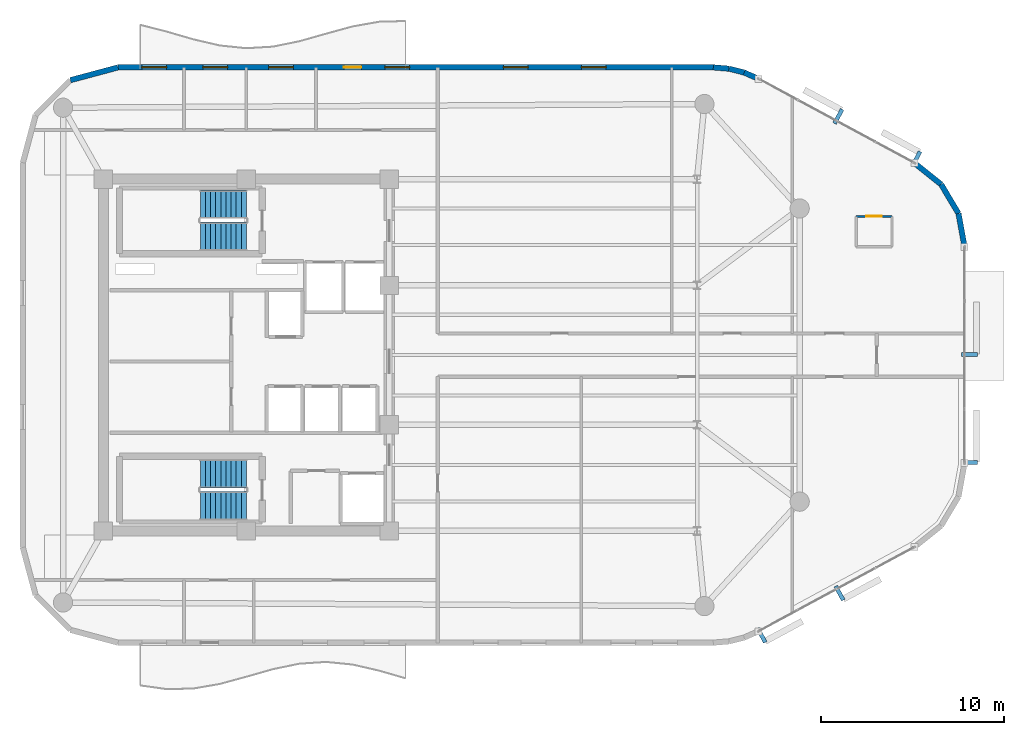
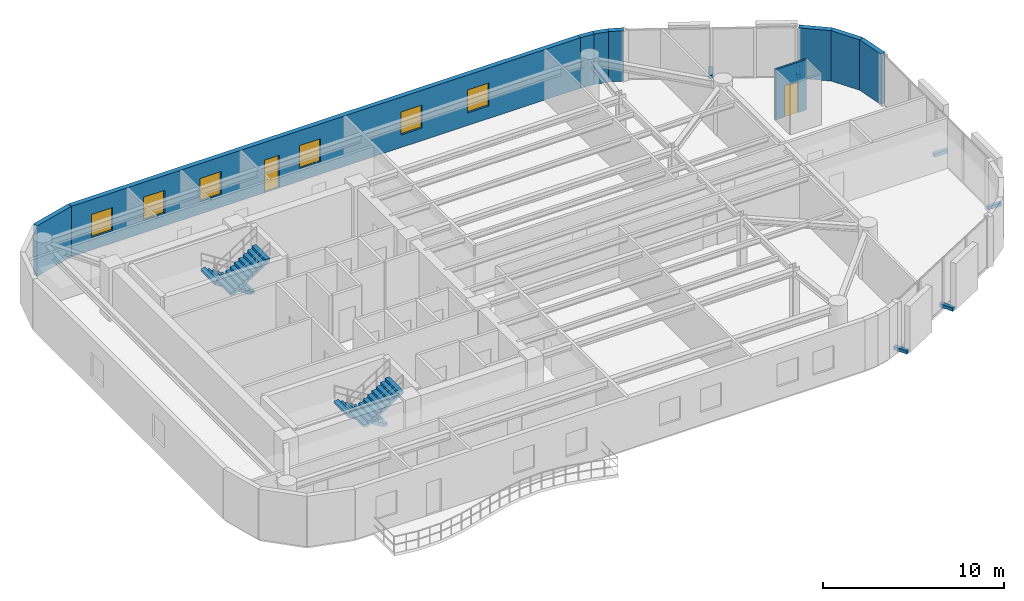
# One storey, part 11 of 13: 9 walls, 6 discrete accessories, 6 windows, 4 stair flights, 2 doors, 8 openings, 2 elements without a shape of their own.
"""IFC4 building model written with IfcOpenShell, lengths in metres."""

from ifc_helpers import new_model, si_unit, direction, frame, frame_2d, origin, origin_2d, place, context, subcontext, project, spatial, polyline, rectangle, outline, extrude, material, layer, layer_set, type_object, element, fill, aggregate, save


model = new_model("IFC4")

# Units and contexts
model_context = context("Model", 3, precision=1e-05, world=origin(), true_north=direction((0.0, 1.0)))
body_context = subcontext(model_context, "Body", "Model", "MODEL_VIEW")
ifc_project = project(units=[si_unit("LENGTHUNIT", "METRE"), si_unit("AREAUNIT", "SQUARE_METRE"), si_unit("VOLUMEUNIT", "CUBIC_METRE"), si_unit("PLANEANGLEUNIT", "RADIAN"), si_unit("MASSUNIT", "GRAM", prefix="KILO")], contexts=[model_context])

# Site, building, storey
site_placement = place(None, origin())
site = spatial("IfcSite", under=ifc_project, at=site_placement, CompositionType="ELEMENT")
building_placement = place(site_placement, origin())
building = spatial("IfcBuilding", under=site, at=building_placement, Name="An Khanh Terracotta Commons", CompositionType="ELEMENT")
storey_placement = place(building_placement, frame((0.0, 0.0, 212.10009765625)))
storey = spatial("IfcBuildingStorey", under=building, at=storey_placement, Name="L55", CompositionType="ELEMENT", Elevation=212.10009765625)

# Walls
ifc_material_1 = material(Name="Precast concrete C40/50", Category="concrete")
ifc_layer_1 = layer(ifc_material_1, 0.300048828125, Name="Precast concrete C40/50")
ifc_layer_set_1 = layer_set([ifc_layer_1], Name="Precast concrete C40/50")
wall_type_1 = type_object("IfcWallType", Name="WALL-EXT-300", PredefinedType="SOLIDWALL", material=ifc_layer_set_1)
wall_1_placement = place(storey_placement, frame((68.60009765625, 29.89892578125, 0.0), z_axis=(0.0, 0.0, 1.0), x_axis=(-0.178468469252, 0.983945631365, 0.0)))
element("IfcWall", 1, at=wall_1_placement, inside=storey, type_object=wall_type_1, Name="L55 Insulated Terracotta Exterior Wall 13", PredefinedType="SOLIDWALL", context=body_context, shape_type="SweptSolid", body=[
    extrude(rectangle(XDim=1.85498046875, YDim=0.300048828125, at=frame_2d((0.927490234375, 0.0))), origin(), (0.0, 0.0, 1.0), 3.39990234375),
])
wall_2_placement = place(storey_placement, frame((68.26904296875, 31.72412109375, 0.0), z_axis=(0.0, 0.0, 1.0), x_axis=(-0.512072018927, 0.858942516955, 0.0)))
element("IfcWall", 2, at=wall_2_placement, inside=storey, type_object=wall_type_1, Name="L55 Insulated Terracotta Exterior Wall 14", PredefinedType="SOLIDWALL", context=body_context, shape_type="SweptSolid", body=[
    extrude(rectangle(XDim=1.853271484375, YDim=0.300048828125, at=frame_2d((0.9267578125, 0.0))), origin(), (0.0, 0.0, 1.0), 3.39990234375),
])
wall_3_placement = place(storey_placement, frame((67.320068359375, 33.31591796875, 0.0), z_axis=(0.0, 0.0, 1.0), x_axis=(-0.780920189257, 0.624630817372, 0.0)))
element("IfcWall", 3, at=wall_3_placement, inside=storey, type_object=wall_type_1, Name="L55 Insulated Terracotta Exterior Wall 15", PredefinedType="SOLIDWALL", context=body_context, shape_type="SweptSolid", body=[
    extrude(rectangle(XDim=1.854248046875, YDim=0.300048828125, at=frame_2d((0.92724609375, 0.0))), origin(), (0.0, 0.0, 1.0), 3.39990234375),
])
wall_4_placement = place(storey_placement, frame((57.35693359375, 39.074951171875, 0.0), z_axis=(0.0, 0.0, 1.0), x_axis=(-0.916085473636, 0.400983048261, 0.0)))
element("IfcWall", 4, at=wall_4_placement, inside=storey, type_object=wall_type_1, Name="L55 Insulated Terracotta Exterior Wall 17", PredefinedType="SOLIDWALL", context=body_context, shape_type="SweptSolid", body=[
    extrude(rectangle(XDim=0.85791015625, YDim=0.300048828125, at=frame_2d((0.428955078125, 0.0))), origin(), (0.0, 0.0, 1.0), 3.39990234375),
])
wall_5_placement = place(storey_placement, frame((56.571044921875, 39.4189453125, 0.0), z_axis=(0.0, 0.0, 1.0), x_axis=(-0.969536346338, 0.244947490555, 0.0)))
element("IfcWall", 5, at=wall_5_placement, inside=storey, type_object=wall_type_1, Name="L55 Insulated Terracotta Exterior Wall 18", PredefinedType="SOLIDWALL", context=body_context, shape_type="SweptSolid", body=[
    extrude(rectangle(XDim=0.857177734375, YDim=0.300048828125, at=frame_2d((0.4287109375, 0.0))), origin(), (0.0, 0.0, 1.0), 3.39990234375),
])
wall_6_placement = place(storey_placement, frame((55.739990234375, 39.62890625, 0.0), z_axis=(0.0, 0.0, 1.0), x_axis=(-0.996565355958, 0.082809971041, 0.0)))
element("IfcWall", 6, at=wall_6_placement, inside=storey, type_object=wall_type_1, Name="L55 Insulated Terracotta Exterior Wall 19", PredefinedType="SOLIDWALL", context=body_context, shape_type="SweptSolid", body=[
    extrude(rectangle(XDim=0.85791015625, YDim=0.300048828125, at=frame_2d((0.428955078125, 0.0))), origin(), (0.0, 0.0, 1.0), 3.39990234375),
])

# Wall, openings, door, windows
wall_7_placement = place(storey_placement, frame((54.885009765625, 39.699951171875, 0.0), z_axis=(0.0, 0.0, 1.0), x_axis=(-1.0, 0.0, 0.0)))
wall_7 = element("IfcWall", 7, at=wall_7_placement, inside=storey, type_object=wall_type_1, Name="L55 Insulated Terracotta Exterior Wall 20", PredefinedType="SOLIDWALL", context=body_context, shape_type="SweptSolid", body=[
    extrude(rectangle(XDim=32.485107421875, YDim=0.300048828125, at=frame_2d((16.24267578125, 0.0))), origin(), (0.0, 0.0, 1.0), 3.39990234375),
])
opening_1_placement = place(wall_7_placement, frame((19.2099609375, 0.0, 0.0)))
opening_1 = element("IfcOpeningElement", 8, at=opening_1_placement, cuts=wall_7, Name="Opening D-BAL", PredefinedType="OPENING", context=body_context, shape_type="SweptSolid", body=[
    extrude(rectangle(XDim=0.949951171875, YDim=2.199951171875, at=frame_2d((0.47509765625, 1.10009765625))), frame((0.0, 0.159912109375, 0.0), z_axis=(0.0, -1.0, 0.0), x_axis=(1.0, 0.0, 0.0)), (0.0, 0.0, 1.0), 0.320068359375),
])
opening_2_placement = place(wall_7_placement, frame((5.845947265625, 0.0, 0.85009765625)))
opening_2 = element("IfcOpeningElement", 9, at=opening_2_placement, cuts=wall_7, Name="Opening W-04", PredefinedType="OPENING", context=body_context, shape_type="SweptSolid", body=[
    extrude(rectangle(XDim=1.35009765625, YDim=1.550048828125, at=frame_2d((0.675048828125, 0.77490234375))), frame((0.0, 0.159912109375, 0.0), z_axis=(0.0, -1.0, 0.0), x_axis=(1.0, 0.0, 0.0)), (0.0, 0.0, 1.0), 0.320068359375),
])
opening_3_placement = place(wall_7_placement, frame((10.10302734375, 0.0, 0.85009765625)))
opening_3 = element("IfcOpeningElement", 10, at=opening_3_placement, cuts=wall_7, Name="Opening W-04", PredefinedType="OPENING", context=body_context, shape_type="SweptSolid", body=[
    extrude(rectangle(XDim=1.35009765625, YDim=1.550048828125, at=frame_2d((0.675048828125, 0.77490234375))), frame((0.0, 0.159912109375, 0.0), z_axis=(0.0, -1.0, 0.0), x_axis=(1.0, 0.0, 0.0)), (0.0, 0.0, 1.0), 0.320068359375),
])
opening_4_placement = place(wall_7_placement, frame((16.576904296875, 0.0, 0.85009765625)))
opening_4 = element("IfcOpeningElement", 11, at=opening_4_placement, cuts=wall_7, Name="Opening W-04", PredefinedType="OPENING", context=body_context, shape_type="SweptSolid", body=[
    extrude(rectangle(XDim=1.35009765625, YDim=1.550048828125, at=frame_2d((0.675048828125, 0.77490234375))), frame((0.0, 0.159912109375, 0.0), z_axis=(0.0, -1.0, 0.0), x_axis=(1.0, 0.0, 0.0)), (0.0, 0.0, 1.0), 0.320068359375),
])
opening_5_placement = place(wall_7_placement, frame((22.909912109375, 0.0, 0.85009765625)))
opening_5 = element("IfcOpeningElement", 12, at=opening_5_placement, cuts=wall_7, Name="Opening W-04", PredefinedType="OPENING", context=body_context, shape_type="SweptSolid", body=[
    extrude(rectangle(XDim=1.35009765625, YDim=1.550048828125, at=frame_2d((0.675048828125, 0.77490234375))), frame((0.0, 0.159912109375, 0.0), z_axis=(0.0, -1.0, 0.0), x_axis=(1.0, 0.0, 0.0)), (0.0, 0.0, 1.0), 0.320068359375),
])
opening_6_placement = place(wall_7_placement, frame((26.510009765625, 0.0, 0.85009765625)))
opening_6 = element("IfcOpeningElement", 13, at=opening_6_placement, cuts=wall_7, Name="Opening W-04", PredefinedType="OPENING", context=body_context, shape_type="SweptSolid", body=[
    extrude(rectangle(XDim=1.35009765625, YDim=1.550048828125, at=frame_2d((0.675048828125, 0.77490234375))), frame((0.0, 0.159912109375, 0.0), z_axis=(0.0, -1.0, 0.0), x_axis=(1.0, 0.0, 0.0)), (0.0, 0.0, 1.0), 0.320068359375),
])
opening_7_placement = place(wall_7_placement, frame((29.8349609375, 0.0, 0.85009765625)))
opening_7 = element("IfcOpeningElement", 14, at=opening_7_placement, cuts=wall_7, Name="Opening W-04", PredefinedType="OPENING", context=body_context, shape_type="SweptSolid", body=[
    extrude(rectangle(XDim=1.35009765625, YDim=1.550048828125, at=frame_2d((0.675048828125, 0.77490234375))), frame((0.0, 0.159912109375, 0.0), z_axis=(0.0, -1.0, 0.0), x_axis=(1.0, 0.0, 0.0)), (0.0, 0.0, 1.0), 0.320068359375),
])
ifc_material_2 = material(Name="Thermally Broken Aluminium and Low-E Glass", Category="aluminium")
door_type_1 = type_object("IfcDoorType", Name="DOOR-BALC-950", OperationType="NOTDEFINED", PredefinedType="DOOR", material=ifc_material_2)
door_1_placement = place(opening_1_placement, origin())
door_1 = element("IfcDoor", 15, at=door_1_placement, inside=storey, type_object=door_type_1, Name="L55 N Wave Balcony Glazed Door", OperationType="SINGLE_SWING_RIGHT", OverallHeight=2.199951171875, OverallWidth=0.949951171875, PredefinedType="DOOR", context=body_context, shape_type="SweptSolid", body=[
    extrude(rectangle(XDim=0.949951171875, YDim=2.199951171875, at=frame_2d((0.47509765625, 1.10009765625))), frame((0.0, 0.02490234375, 0.0), z_axis=(0.0, -1.0, 0.0), x_axis=(1.0, 0.0, 0.0)), (0.0, 0.0, 1.0), 0.050048828125),
])
fill(opening_1, door_1)
window_type = type_object("IfcWindowType", Name="WIN-Z4-1350x1550", PartitioningType="SINGLE_PANEL", PredefinedType="WINDOW", material=ifc_material_2)
window_1_placement = place(opening_2_placement, origin())
window_1 = element("IfcWindow", 16, at=window_1_placement, inside=storey, type_object=window_type, Name="L55 Operable Casement Window 20.1", OverallHeight=1.550048828125, OverallWidth=1.35009765625, PartitioningType="SINGLE_PANEL", PredefinedType="WINDOW", context=body_context, shape_type="SweptSolid", body=[
    extrude(rectangle(XDim=1.35009765625, YDim=1.550048828125, at=frame_2d((0.675048828125, 0.77490234375))), frame((0.0, 0.030029296875, 0.0), z_axis=(0.0, -1.0, 0.0), x_axis=(1.0, 0.0, 0.0)), (0.0, 0.0, 1.0), 0.06005859375),
])
fill(opening_2, window_1)
window_2_placement = place(opening_3_placement, origin())
window_2 = element("IfcWindow", 17, at=window_2_placement, inside=storey, type_object=window_type, Name="L55 Operable Casement Window 20.2", OverallHeight=1.550048828125, OverallWidth=1.35009765625, PartitioningType="SINGLE_PANEL", PredefinedType="WINDOW", context=body_context, shape_type="SweptSolid", body=[
    extrude(rectangle(XDim=1.35009765625, YDim=1.550048828125, at=frame_2d((0.675048828125, 0.77490234375))), frame((0.0, 0.030029296875, 0.0), z_axis=(0.0, -1.0, 0.0), x_axis=(1.0, 0.0, 0.0)), (0.0, 0.0, 1.0), 0.06005859375),
])
fill(opening_3, window_2)
window_3_placement = place(opening_4_placement, origin())
window_3 = element("IfcWindow", 18, at=window_3_placement, inside=storey, type_object=window_type, Name="L55 Operable Casement Window 20.3", OverallHeight=1.550048828125, OverallWidth=1.35009765625, PartitioningType="SINGLE_PANEL", PredefinedType="WINDOW", context=body_context, shape_type="SweptSolid", body=[
    extrude(rectangle(XDim=1.35009765625, YDim=1.550048828125, at=frame_2d((0.675048828125, 0.77490234375))), frame((0.0, 0.030029296875, 0.0), z_axis=(0.0, -1.0, 0.0), x_axis=(1.0, 0.0, 0.0)), (0.0, 0.0, 1.0), 0.06005859375),
])
fill(opening_4, window_3)
window_4_placement = place(opening_5_placement, origin())
window_4 = element("IfcWindow", 19, at=window_4_placement, inside=storey, type_object=window_type, Name="L55 Operable Casement Window 20.4", OverallHeight=1.550048828125, OverallWidth=1.35009765625, PartitioningType="SINGLE_PANEL", PredefinedType="WINDOW", context=body_context, shape_type="SweptSolid", body=[
    extrude(rectangle(XDim=1.35009765625, YDim=1.550048828125, at=frame_2d((0.675048828125, 0.77490234375))), frame((0.0, 0.030029296875, 0.0), z_axis=(0.0, -1.0, 0.0), x_axis=(1.0, 0.0, 0.0)), (0.0, 0.0, 1.0), 0.06005859375),
])
fill(opening_5, window_4)
window_5_placement = place(opening_6_placement, origin())
window_5 = element("IfcWindow", 20, at=window_5_placement, inside=storey, type_object=window_type, Name="L55 Operable Casement Window 20.5", OverallHeight=1.550048828125, OverallWidth=1.35009765625, PartitioningType="SINGLE_PANEL", PredefinedType="WINDOW", context=body_context, shape_type="SweptSolid", body=[
    extrude(rectangle(XDim=1.35009765625, YDim=1.550048828125, at=frame_2d((0.675048828125, 0.77490234375))), frame((0.0, 0.030029296875, 0.0), z_axis=(0.0, -1.0, 0.0), x_axis=(1.0, 0.0, 0.0)), (0.0, 0.0, 1.0), 0.06005859375),
])
fill(opening_6, window_5)
window_6_placement = place(opening_7_placement, origin())
window_6 = element("IfcWindow", 21, at=window_6_placement, inside=storey, type_object=window_type, Name="L55 Operable Casement Window 20.6", OverallHeight=1.550048828125, OverallWidth=1.35009765625, PartitioningType="SINGLE_PANEL", PredefinedType="WINDOW", context=body_context, shape_type="SweptSolid", body=[
    extrude(rectangle(XDim=1.35009765625, YDim=1.550048828125, at=frame_2d((0.675048828125, 0.77490234375))), frame((0.0, 0.030029296875, 0.0), z_axis=(0.0, -1.0, 0.0), x_axis=(1.0, 0.0, 0.0)), (0.0, 0.0, 1.0), 0.06005859375),
])
fill(opening_7, window_6)

# Wall
wall_8_placement = place(storey_placement, frame((22.39990234375, 39.699951171875, 0.0), z_axis=(0.0, 0.0, 1.0), x_axis=(-0.965889330541, -0.258955210695, 0.0)))
element("IfcWall", 22, at=wall_8_placement, inside=storey, type_object=wall_type_1, Name="L55 Insulated Terracotta Exterior Wall 21", PredefinedType="SOLIDWALL", context=body_context, shape_type="SweptSolid", body=[
    extrude(rectangle(XDim=2.691650390625, YDim=0.300048828125, at=frame_2d((1.345703125, 0.0))), origin(), (0.0, 0.0, 1.0), 3.39990234375),
])

# Wall, opening, door
ifc_material_3 = material(Name="Moisture-Resistant Cement Board Partition")
ifc_layer_2 = layer(ifc_material_3, 0.1201171875, Name="Moisture-Resistant Cement Board Partition")
ifc_layer_set_2 = layer_set([ifc_layer_2], Name="Moisture-Resistant Cement Board Partition")
wall_type_2 = type_object("IfcWallType", Name="WALL-WET-120", PredefinedType="PARTITIONING", material=ifc_layer_set_2)
wall_9_placement = place(storey_placement, frame((62.68603515625, 31.56494140625, 0.0), z_axis=(0.0, 0.0, 1.0), x_axis=(1.0, 0.0, 0.0)))
wall_9 = element("IfcWall", 23, at=wall_9_placement, inside=storey, type_object=wall_type_2, Name="L55 Interior Partition IW-L55-ENO1-BN", PredefinedType="PARTITIONING", context=body_context, shape_type="SweptSolid", body=[
    extrude(rectangle(XDim=1.949951171875, YDim=0.1201171875, at=frame_2d((0.97509765625, 0.0))), origin(), (0.0, 0.0, 1.0), 3.39990234375),
])
opening_8_placement = place(wall_9_placement, frame((0.544921875, 0.0, 0.0)))
opening_8 = element("IfcOpeningElement", 24, at=opening_8_placement, cuts=wall_9, Name="Opening D-ENS", PredefinedType="OPENING", context=body_context, shape_type="SweptSolid", body=[
    extrude(rectangle(XDim=0.860107421875, YDim=2.10009765625, at=frame_2d((0.43017578125, 1.050048828125))), frame((0.0, 0.070068359375, 0.0), z_axis=(0.0, -1.0, 0.0), x_axis=(1.0, 0.0, 0.0)), (0.0, 0.0, 1.0), 0.14013671875),
])
ifc_material_4 = material(Name="Moisture-Resistant Hardwood Timber Leaf", Category="wood")
door_type_2 = type_object("IfcDoorType", Name="DOOR-BATH-860", OperationType="NOTDEFINED", PredefinedType="DOOR", material=ifc_material_4)
door_2_placement = place(opening_8_placement, origin())
door_2 = element("IfcDoor", 25, at=door_2_placement, inside=storey, type_object=door_type_2, Name="L55 Studio ENO1 En-suite Door", OperationType="SINGLE_SWING_RIGHT", OverallHeight=2.10009765625, OverallWidth=0.860107421875, PredefinedType="DOOR", context=body_context, shape_type="SweptSolid", body=[
    extrude(rectangle(XDim=0.860107421875, YDim=2.10009765625, at=frame_2d((0.43017578125, 1.050048828125))), frame((0.0, 0.02490234375, 0.0), z_axis=(0.0, -1.0, 0.0), x_axis=(1.0, 0.0, 0.0)), (0.0, 0.0, 1.0), 0.050048828125),
])
fill(opening_8, door_2)

# Stair, stair flights
stair_type = type_object("IfcStairType", Name="STAIR-CORE-1550", PredefinedType="HALF_TURN_STAIR", material=ifc_material_1)
stair_1_placement = place(storey_placement, origin())
stair_1 = element("IfcStair", 26, at=stair_1_placement, inside=storey, type_object=stair_type, Name="L55 Core Smokeproof Exit Stair ST-01", PredefinedType="HALF_TURN_STAIR")
stair_flight_type = type_object("IfcStairFlightType", Name="FLIGHT-CORE-1550", PredefinedType="STRAIGHT", material=ifc_material_1)
stair_flight_1_placement = place(storey_placement, frame((29.409912109375, 32.22509765625, 0.0), z_axis=(0.0, 0.0, 1.0), x_axis=(-1.0, 0.0, 0.0)))
stair_flight_1 = element("IfcStairFlight", 27, at=stair_flight_1_placement, type_object=stair_flight_type, Name="ST-01 flight 1", NumberOfRisers=10, NumberOfTreads=9, PredefinedType="STRAIGHT", RiserHeight=0.18, TreadLength=0.28, context=body_context, shape_type="SweptSolid", body=[
    extrude(outline(polyline([(0.0, 0.0), (0.0, 0.179931640625), (0.280029296875, 0.179931640625), (0.280029296875, 0.360107421875), (0.56005859375, 0.360107421875), (0.56005859375, 0.5400390625), (0.840087890625, 0.5400390625), (0.840087890625, 0.719970703125), (1.1201171875, 0.719970703125), (1.1201171875, 0.89990234375), (1.39990234375, 0.89990234375), (1.39990234375, 1.080078125), (1.679931640625, 1.080078125), (1.679931640625, 1.260009765625), (1.9599609375, 1.260009765625), (1.9599609375, 1.43994140625), (2.239990234375, 1.43994140625), (2.239990234375, 1.6201171875), (2.52001953125, 1.6201171875), (2.52001953125, 1.800048828125), (2.52001953125, 1.44189453125), (0.277099609375, 0.0), (0.0, 0.0)])), frame((0.0, 0.77490234375, 0.0), z_axis=(0.0, -1.0, 0.0), x_axis=(1.0, 0.0, 0.0)), (0.0, 0.0, 1.0), 1.550048828125),
])
stair_flight_2_placement = place(storey_placement, frame((26.889892578125, 30.47509765625, 1.7998046875), z_axis=(0.0, 0.0, 1.0), x_axis=(1.0, 0.0, 0.0)))
stair_flight_2 = element("IfcStairFlight", 28, at=stair_flight_2_placement, type_object=stair_flight_type, Name="ST-01 flight 2", NumberOfRisers=10, NumberOfTreads=9, PredefinedType="STRAIGHT", RiserHeight=0.18, TreadLength=0.28, context=body_context, shape_type="SweptSolid", body=[
    extrude(outline(polyline([(0.0, 0.0), (0.0, 0.179931640625), (0.280029296875, 0.179931640625), (0.280029296875, 0.360107421875), (0.56005859375, 0.360107421875), (0.56005859375, 0.5400390625), (0.840087890625, 0.5400390625), (0.840087890625, 0.719970703125), (1.1201171875, 0.719970703125), (1.1201171875, 0.89990234375), (1.39990234375, 0.89990234375), (1.39990234375, 1.080078125), (1.679931640625, 1.080078125), (1.679931640625, 1.260009765625), (1.9599609375, 1.260009765625), (1.9599609375, 1.43994140625), (2.239990234375, 1.43994140625), (2.239990234375, 1.6201171875), (2.52001953125, 1.6201171875), (2.52001953125, 1.800048828125), (2.52001953125, 1.44189453125), (0.277099609375, 0.0), (0.0, 0.0)])), frame((0.0, 0.77490234375, 0.0), z_axis=(0.0, -1.0, 0.0), x_axis=(1.0, 0.0, 0.0)), (0.0, 0.0, 1.0), 1.550048828125),
])
aggregate(stair_1, [stair_flight_1, stair_flight_2])

stair_2_placement = place(storey_placement, origin())
stair_2 = element("IfcStair", 29, at=stair_2_placement, inside=storey, type_object=stair_type, Name="L55 Core Smokeproof Exit Stair ST-02", PredefinedType="HALF_TURN_STAIR")
stair_flight_3_placement = place(storey_placement, frame((29.409912109375, 17.52490234375, 0.0), z_axis=(0.0, 0.0, 1.0), x_axis=(-1.0, 0.0, 0.0)))
stair_flight_3 = element("IfcStairFlight", 30, at=stair_flight_3_placement, type_object=stair_flight_type, Name="ST-02 flight 1", NumberOfRisers=10, NumberOfTreads=9, PredefinedType="STRAIGHT", RiserHeight=0.18, TreadLength=0.28, context=body_context, shape_type="SweptSolid", body=[
    extrude(outline(polyline([(0.0, 0.0), (0.0, 0.179931640625), (0.280029296875, 0.179931640625), (0.280029296875, 0.360107421875), (0.56005859375, 0.360107421875), (0.56005859375, 0.5400390625), (0.840087890625, 0.5400390625), (0.840087890625, 0.719970703125), (1.1201171875, 0.719970703125), (1.1201171875, 0.89990234375), (1.39990234375, 0.89990234375), (1.39990234375, 1.080078125), (1.679931640625, 1.080078125), (1.679931640625, 1.260009765625), (1.9599609375, 1.260009765625), (1.9599609375, 1.43994140625), (2.239990234375, 1.43994140625), (2.239990234375, 1.6201171875), (2.52001953125, 1.6201171875), (2.52001953125, 1.800048828125), (2.52001953125, 1.44189453125), (0.277099609375, 0.0), (0.0, 0.0)])), frame((0.0, 0.77490234375, 0.0), z_axis=(0.0, -1.0, 0.0), x_axis=(1.0, 0.0, 0.0)), (0.0, 0.0, 1.0), 1.550048828125),
])
stair_flight_4_placement = place(storey_placement, frame((26.889892578125, 15.77490234375, 1.7998046875), z_axis=(0.0, 0.0, 1.0), x_axis=(1.0, 0.0, 0.0)))
stair_flight_4 = element("IfcStairFlight", 31, at=stair_flight_4_placement, type_object=stair_flight_type, Name="ST-02 flight 2", NumberOfRisers=10, NumberOfTreads=9, PredefinedType="STRAIGHT", RiserHeight=0.18, TreadLength=0.28, context=body_context, shape_type="SweptSolid", body=[
    extrude(outline(polyline([(0.0, 0.0), (0.0, 0.179931640625), (0.280029296875, 0.179931640625), (0.280029296875, 0.360107421875), (0.56005859375, 0.360107421875), (0.56005859375, 0.5400390625), (0.840087890625, 0.5400390625), (0.840087890625, 0.719970703125), (1.1201171875, 0.719970703125), (1.1201171875, 0.89990234375), (1.39990234375, 0.89990234375), (1.39990234375, 1.080078125), (1.679931640625, 1.080078125), (1.679931640625, 1.260009765625), (1.9599609375, 1.260009765625), (1.9599609375, 1.43994140625), (2.239990234375, 1.43994140625), (2.239990234375, 1.6201171875), (2.52001953125, 1.6201171875), (2.52001953125, 1.800048828125), (2.52001953125, 1.44189453125), (0.277099609375, 0.0), (0.0, 0.0)])), frame((0.0, 0.77490234375, 0.0), z_axis=(0.0, -1.0, 0.0), x_axis=(1.0, 0.0, 0.0)), (0.0, 0.0, 1.0), 1.550048828125),
])
aggregate(stair_2, [stair_flight_3, stair_flight_4])

# Discrete accessories
ifc_material_5 = material(Name="Stainless Steel Grade 316L", Category="steel")
discrete_accessory_type = type_object("IfcDiscreteAccessoryType", Name="Stainless Outrigger Facade Bracket", PredefinedType="BRACKET", material=ifc_material_5)
for number, where, z_axis, x_axis, name in (
    (32, (57.513916015625, 8.7080078125, 0.06982421875), (0.0, 0.0, 1.0), (0.879780095306, 0.47538088298, 0.0), "L55 Terracotta Screen Outrigger Bracket 1"),
    (33, (61.77099609375, 11.009033203125, 0.06982421875), (0.0, 0.0, 1.0), (0.879780095306, 0.47538088298, 0.0), "L55 Terracotta Screen Outrigger Bracket 3"),
    (34, (68.864990234375, 18.135986328125, 0.06982421875), (0.0, 0.0, 1.0), (0.0, 1.0, 0.0), "L55 Terracotta Screen Outrigger Bracket 1"),
    (35, (68.864990234375, 24.034912109375, 0.06982421875), (0.0, 0.0, 1.0), (0.0, 1.0, 0.0), "L55 Terracotta Screen Outrigger Bracket 3"),
    (36, (65.967041015625, 34.72412109375, 0.06982421875), (0.0, 0.0, 1.0), (-0.879780095306, 0.47538088298, 0.0), "L55 Terracotta Screen Outrigger Bracket 1"),
    (37, (61.7099609375, 37.02392578125, 0.06982421875), (0.0, 0.0, 1.0), (-0.879780095306, 0.47538088298, 0.0), "L55 Terracotta Screen Outrigger Bracket 3"),
):
    element("IfcDiscreteAccessory", number, at=place(storey_placement, frame(where, z_axis=z_axis, x_axis=x_axis)), inside=storey, type_object=discrete_accessory_type, Name=name, PredefinedType="BRACKET", context=body_context, shape_type="SweptSolid", body=[
        extrude(rectangle(XDim=0.219970703125, YDim=0.8701171875, at=origin_2d()), origin(), (0.0, 0.0, 1.0), 0.219970703125),
    ])

save(model, "model.ifc")
